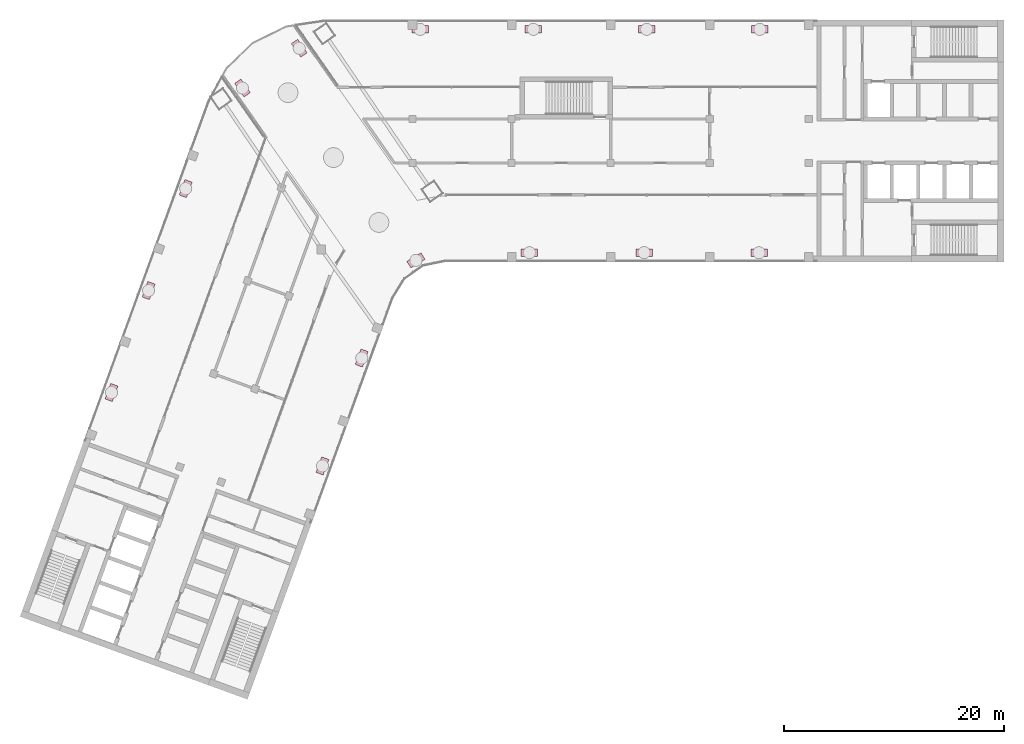
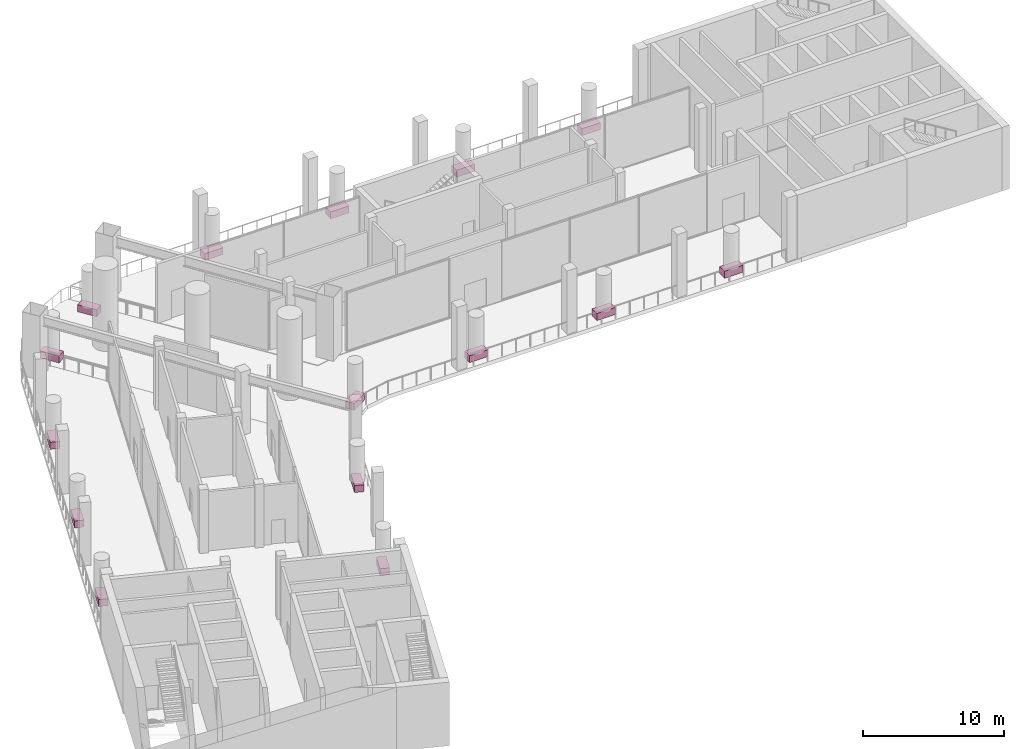
# One storey, part 16 of 17: 15 furniture elements.
"""IFC4 building model written with IfcOpenShell, lengths in metres."""

from ifc_helpers import new_model, si_unit, direction, frame, origin, origin_2d, place, context, subcontext, project, spatial, rectangle, extrude, element, save


model = new_model("IFC4")

# Units and contexts
model_context = context("Model", 3, precision=1e-05, world=origin(), true_north=direction((0.0, 1.0)))
body_context = subcontext(model_context, "Body", "Model", "MODEL_VIEW")
ifc_project = project(units=[si_unit("LENGTHUNIT", "METRE"), si_unit("AREAUNIT", "SQUARE_METRE"), si_unit("VOLUMEUNIT", "CUBIC_METRE"), si_unit("PLANEANGLEUNIT", "RADIAN"), si_unit("MASSUNIT", "GRAM", prefix="KILO")], contexts=[model_context])

# Site, building, storey
site_placement = place(None, origin())
site = spatial("IfcSite", under=ifc_project, at=site_placement, CompositionType="ELEMENT")
building_placement = place(site_placement, origin())
building = spatial("IfcBuilding", under=site, at=building_placement, Name="Skarvind Civic Tower", CompositionType="ELEMENT")
storey_placement = place(building_placement, frame((0.0, 0.0, 182.5)))
storey = spatial("IfcBuildingStorey", under=building, at=storey_placement, Name="L43", CompositionType="ELEMENT", Elevation=182.5)

# Furniture
for number, where, z_axis, x_axis, name in (
    (1, (38.7822265625, 132.816162109375, 0.0), (0.0, 0.0, 1.0), (-0.573576436351, 0.819152044289, 0.0), "TERRACE PLANTER"),
    (2, (43.94287109375, 136.4296875, 0.0), (0.0, 0.0, 1.0), (0.573576436351, -0.819152044289, 0.0), "TERRACE PLANTER"),
    (3, (85.73291015625, 117.85009765625, 0.0), (0.0, 0.0, 1.0), (-1.0, 0.0, 0.0), "TERRACE PLANTER"),
    (4, (75.298583984375, 117.85009765625, 0.0), (0.0, 0.0, 1.0), (-1.0, 0.0, 0.0), "TERRACE PLANTER"),
    (5, (64.864013671875, 117.85009765625, 0.0), (0.0, 0.0, 1.0), (-1.0, 0.0, 0.0), "TERRACE PLANTER"),
    (6, (54.551025390625, 117.152587890625, 0.0), (0.0, 0.0, 1.0), (-0.8562670846, -0.516533328867, 0.0), "TERRACE PLANTER"),
    (7, (49.62158203125, 108.273193359375, 0.0), (0.0, 0.0, 1.0), (-0.342020143326, -0.939692620786, 0.0), "TERRACE PLANTER"),
    (8, (46.052734375, 98.46826171875, 0.0), (0.0, 0.0, 1.0), (-0.342020143326, -0.939692620786, 0.0), "TERRACE PLANTER"),
    (9, (54.939453125, 138.14990234375, 0.0), (0.0, 0.0, 1.0), (1.0, 0.0, 0.0), "TERRACE PLANTER"),
    (10, (65.228271484375, 138.14990234375, 0.0), (0.0, 0.0, 1.0), (1.0, 0.0, 0.0), "TERRACE PLANTER"),
    (11, (75.516845703125, 138.14990234375, 0.0), (0.0, 0.0, 1.0), (1.0, 0.0, 0.0), "TERRACE PLANTER"),
    (12, (85.8056640625, 138.14990234375, 0.0), (0.0, 0.0, 1.0), (1.0, 0.0, 0.0), "TERRACE PLANTER"),
    (13, (26.87890625, 105.1416015625, 0.0), (0.0, 0.0, 1.0), (0.342020143326, 0.939692620786, 0.0), "TERRACE PLANTER"),
    (14, (30.25146484375, 114.407958984375, 0.0), (0.0, 0.0, 1.0), (0.342020143326, 0.939692620786, 0.0), "TERRACE PLANTER"),
    (15, (33.6240234375, 123.67431640625, 0.0), (0.0, 0.0, 1.0), (0.342020143326, 0.939692620786, 0.0), "TERRACE PLANTER"),
):
    element("IfcFurniture", number, at=place(storey_placement, frame(where, z_axis=z_axis, x_axis=x_axis)), inside=storey, Name=name, ObjectType="PLANTER", PredefinedType="USERDEFINED", context=body_context, shape_type="SweptSolid", body=[
        extrude(rectangle(XDim=1.5, YDim=0.699951171875, at=origin_2d()), origin(), (0.0, 0.0, 1.0), 0.60009765625),
    ])

save(model, "model.ifc")
